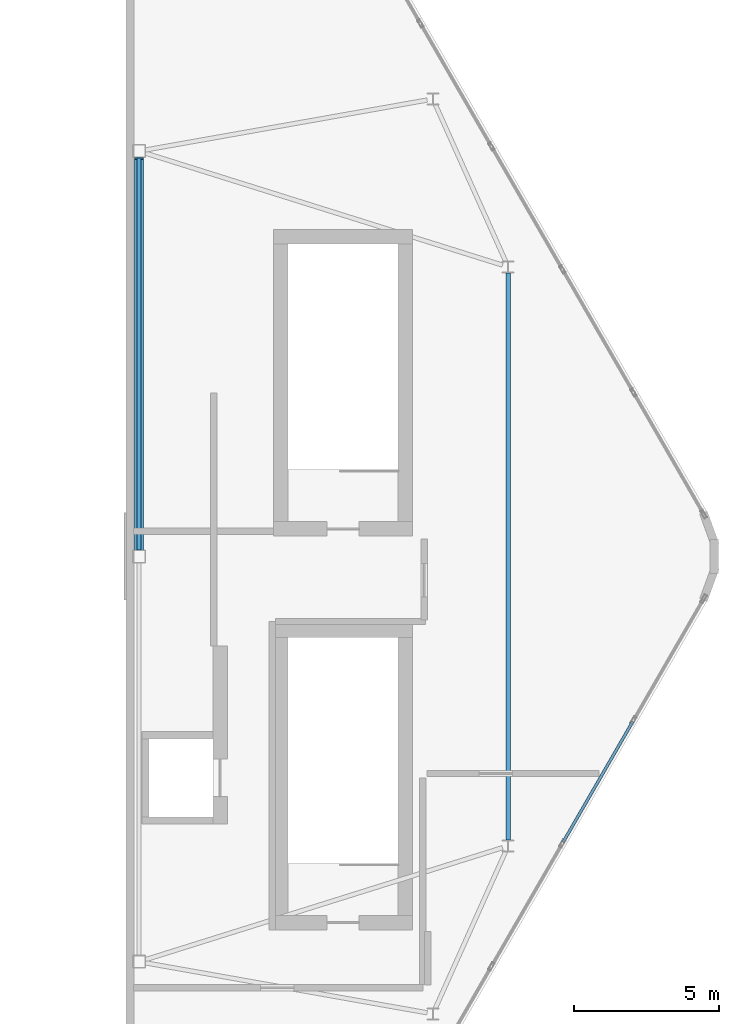
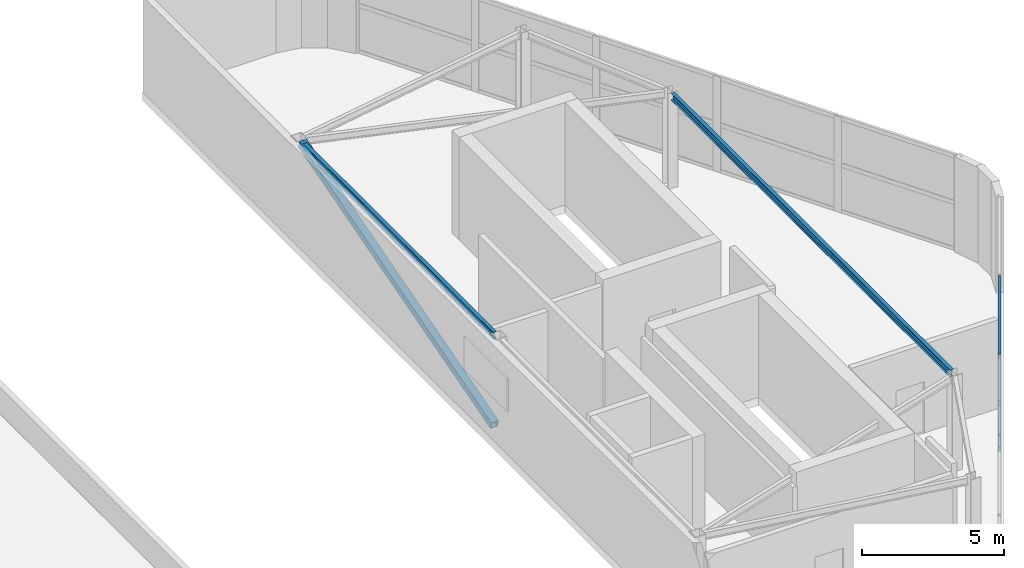
# One storey, part 3 of 8: 4 members, 2 beams, 1 element without a shape of its own.
"""IFC4 building model written with IfcOpenShell, lengths in metres."""

from ifc_helpers import new_model, si_unit, direction, frame, origin, origin_2d, place, context, subcontext, project, spatial, hollow_rectangle, i_section, extrude, material, material_profile, profile_set, type_object, element, aggregate, save


model = new_model("IFC4")

# Units and contexts
model_context = context("Model", 3, precision=1e-05, world=origin(), true_north=direction((0.0, 1.0)))
body_context = subcontext(model_context, "Body", "Model", "MODEL_VIEW")
ifc_project = project(units=[si_unit("LENGTHUNIT", "METRE"), si_unit("AREAUNIT", "SQUARE_METRE"), si_unit("VOLUMEUNIT", "CUBIC_METRE"), si_unit("PLANEANGLEUNIT", "RADIAN"), si_unit("MASSUNIT", "GRAM", prefix="KILO")], contexts=[model_context])

# Site, building, storey
site_placement = place(None, origin())
site = spatial("IfcSite", under=ifc_project, at=site_placement, CompositionType="ELEMENT")
building_placement = place(site_placement, origin())
building = spatial("IfcBuilding", under=site, at=building_placement, Name="Zuhravey Tower", CompositionType="ELEMENT")
storey_placement = place(building_placement, frame((0.0, 0.0, 383.39990234375)))
storey = spatial("IfcBuildingStorey", under=building, at=storey_placement, Name="L97", CompositionType="ELEMENT", Elevation=383.39990234375)

# Member
ifc_material_1 = material(Name="Steel SM355", Category="steel")
ifc_material_profile_1 = material_profile(ifc_material_1, hollow_rectangle(XDim=0.300048828125, YDim=0.300048828125, WallThickness=0.01611328125, at=origin_2d()), Name="RHS-300x300x16")
ifc_profile_set_1 = profile_set([ifc_material_profile_1], Name="Steel SM355")
member_type_1 = type_object("IfcMemberType", Name="Crown Frame Strut RHS300x300", PredefinedType="STRUT", material=ifc_profile_set_1)
member_1_placement = place(storey_placement, frame((43.449951171875, 32.249267578125, 0.105712890625), z_axis=(0.0, 0.960932258658, 0.27678365969), x_axis=(-1.0, 0.0, 0.0)))
element("IfcMember", 1, at=member_1_placement, inside=storey, type_object=member_type_1, Name="L97 East Crest Portal Frame Strut CFS1", PredefinedType="STRUT", context=body_context, shape_type="SweptSolid", body=[
    extrude(hollow_rectangle(XDim=0.300048828125, YDim=0.300048828125, WallThickness=0.01611328125, at=origin_2d()), origin(), (0.0, 0.0, 1.0), 14.05029296875),
])

# Beams
ifc_material_profile_2 = material_profile(ifc_material_1, i_section(OverallWidth=0.14990234375, OverallDepth=0.300048828125, WebThickness=0.007080078125, FlangeThickness=0.010009765625, at=origin_2d()), Name="H-300x150x7x10")
ifc_profile_set_2 = profile_set([ifc_material_profile_2], Name="Steel SM355")
beam_type = type_object("IfcBeamType", Name="Crown Roof Purlin H300x150", PredefinedType="USERDEFINED", material=ifc_profile_set_2)
beam_1_placement = place(storey_placement, frame((56.199951171875, 22.2041015625, 3.9501953125), z_axis=(0.0, 1.0, 0.0), x_axis=(-1.0, 0.0, 0.0)))
element("IfcBeam", 2, at=beam_1_placement, inside=storey, type_object=beam_type, Name="L97 CRP1 BM-L97-ECR-0-1", ObjectType="PURLIN", PredefinedType="USERDEFINED", context=body_context, shape_type="SweptSolid", body=[
    extrude(i_section(OverallWidth=0.14990234375, OverallDepth=0.300048828125, WebThickness=0.007080078125, FlangeThickness=0.010009765625, at=origin_2d()), origin(), (0.0, 0.0, 1.0), 19.591796875),
])
beam_2_placement = place(storey_placement, frame((43.449951171875, 32.22900390625, 3.9501953125), z_axis=(0.0, 1.0, 0.0), x_axis=(-1.0, 0.0, 0.0)))
element("IfcBeam", 3, at=beam_2_placement, inside=storey, type_object=beam_type, Name="L97 CRP1 BM-L97-ECR-5-6", ObjectType="PURLIN", PredefinedType="USERDEFINED", context=body_context, shape_type="SweptSolid", body=[
    extrude(i_section(OverallWidth=0.14990234375, OverallDepth=0.300048828125, WebThickness=0.007080078125, FlangeThickness=0.010009765625, at=origin_2d()), origin(), (0.0, 0.0, 1.0), 13.5419921875),
])

# Curtain wall, members
ifc_material_2 = material(Name="Thermally broken anodised aluminium", Category="aluminium")
curtain_wall_type = type_object("IfcCurtainWallType", Name="Split-Top Crown Screened Curtain Wall CW6", PredefinedType="NOTDEFINED", material=ifc_material_2)
curtain_wall_placement = place(storey_placement, origin())
curtain_wall = element("IfcCurtainWall", 4, at=curtain_wall_placement, inside=storey, type_object=curtain_wall_type, Name="L97 CW6 CW6-L97-EAST-08", PredefinedType="NOTDEFINED")
ifc_material_3 = material(Name="Anodised aluminium", Category="aluminium")
ifc_material_profile_3 = material_profile(ifc_material_3, hollow_rectangle(XDim=0.10009765625, YDim=0.179931640625, WallThickness=0.006103515625, at=origin_2d()), Name="ALU-RHS-100x180x6")
ifc_profile_set_3 = profile_set([ifc_material_profile_3], Name="Anodised aluminium")
member_type_2 = type_object("IfcMemberType", Name="Tall-Storey Transom 100x180", PredefinedType="USERDEFINED", material=ifc_profile_set_3)
member_2_placement = place(storey_placement, frame((60.503173828125, 26.29248046875, 0.050048828125), z_axis=(-0.50003466983, -0.866005386223, 0.0), x_axis=(0.866005386223, -0.50003466983, 0.0)))
member_2 = element("IfcMember", 5, at=member_2_placement, type_object=member_type_2, Name="CW6 transom 2.1", ObjectType="TRANSOM", PredefinedType="USERDEFINED", context=body_context, shape_type="SweptSolid", body=[
    extrude(hollow_rectangle(XDim=0.10009765625, YDim=0.179931640625, WallThickness=0.006103515625, at=origin_2d()), origin(), (0.0, 0.0, 1.0), 4.805908203125),
])
member_3_placement = place(storey_placement, frame((60.503173828125, 26.29248046875, 2.050048828125), z_axis=(-0.50003466983, -0.866005386223, 0.0), x_axis=(0.866005386223, -0.50003466983, 0.0)))
member_3 = element("IfcMember", 6, at=member_3_placement, type_object=member_type_2, Name="CW6 transom 2.2", ObjectType="TRANSOM", PredefinedType="USERDEFINED", context=body_context, shape_type="SweptSolid", body=[
    extrude(hollow_rectangle(XDim=0.10009765625, YDim=0.179931640625, WallThickness=0.006103515625, at=origin_2d()), origin(), (0.0, 0.0, 1.0), 4.805908203125),
])
member_4_placement = place(storey_placement, frame((60.503173828125, 26.29248046875, 4.050048828125), z_axis=(-0.50003466983, -0.866005386223, 0.0), x_axis=(0.866005386223, -0.50003466983, 0.0)))
member_4 = element("IfcMember", 7, at=member_4_placement, type_object=member_type_2, Name="CW6 transom 2.3", ObjectType="TRANSOM", PredefinedType="USERDEFINED", context=body_context, shape_type="SweptSolid", body=[
    extrude(hollow_rectangle(XDim=0.10009765625, YDim=0.179931640625, WallThickness=0.006103515625, at=origin_2d()), origin(), (0.0, 0.0, 1.0), 4.805908203125),
])
aggregate(curtain_wall, [member_2, member_3, member_4])

save(model, "model.ifc")
